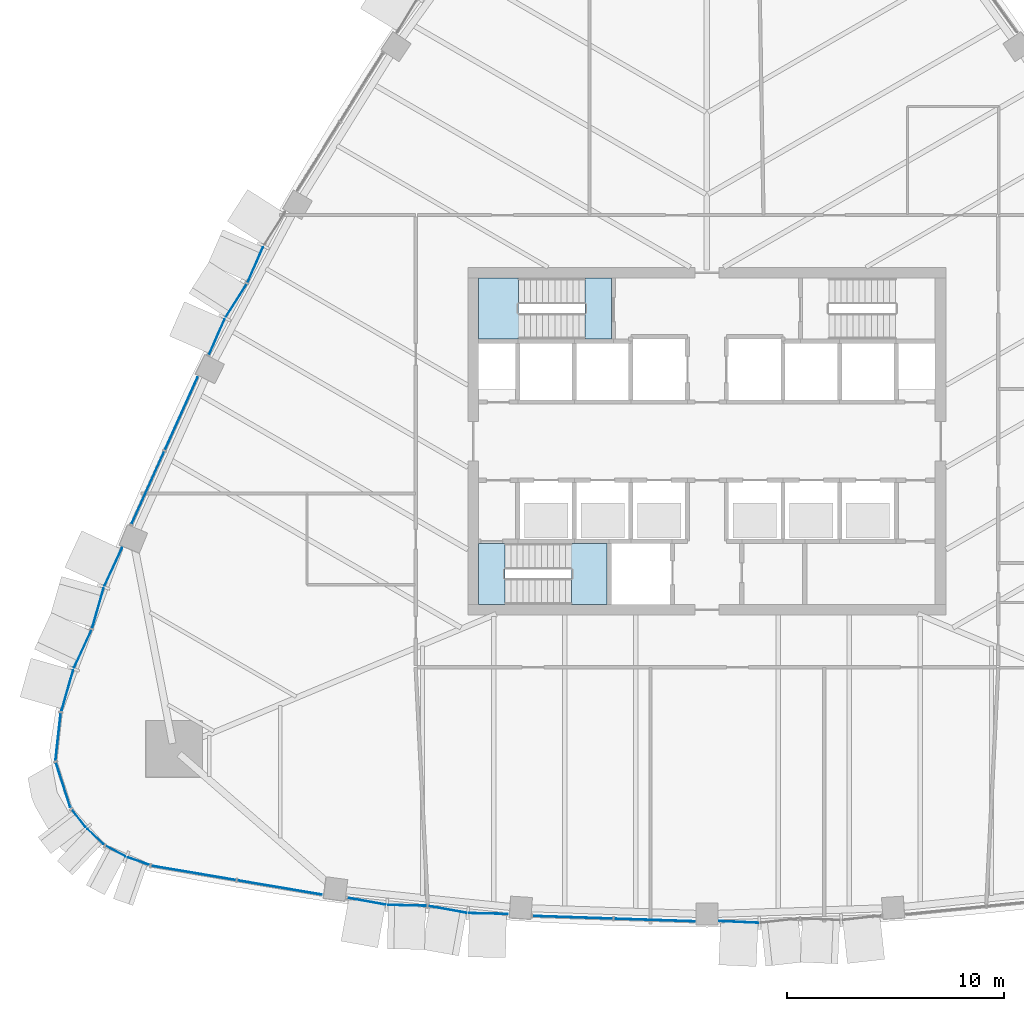
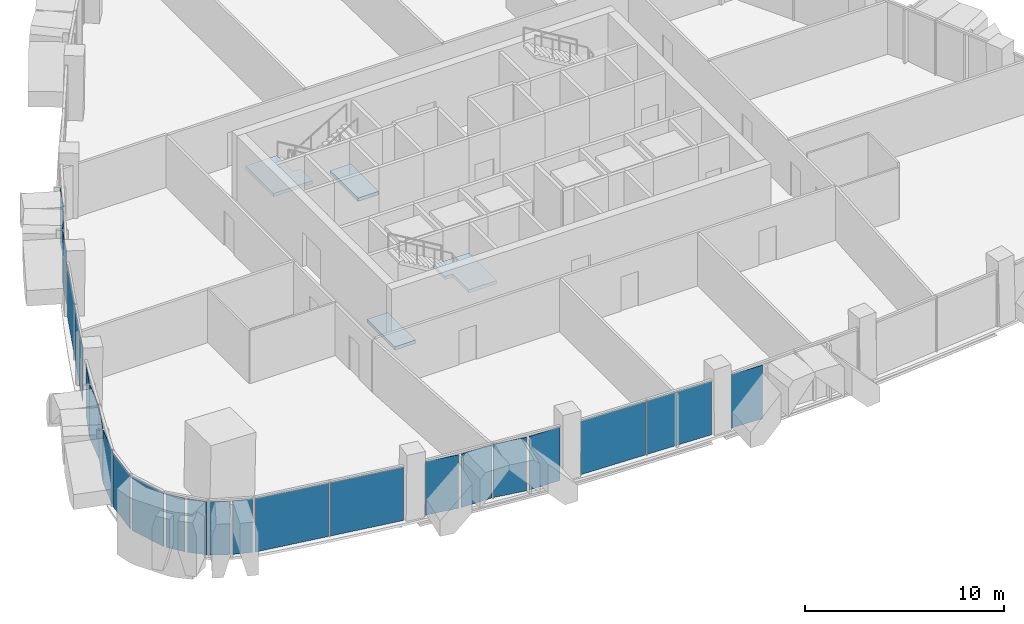
# One storey, part 8 of 17: 24 plates, 4 slabs, 13 elements without a shape of their own.
"""IFC4 building model written with IfcOpenShell, lengths in metres."""

from ifc_helpers import new_model, si_unit, direction, frame, origin, origin_2d, place, context, subcontext, project, spatial, polyline, rectangle, outline, extrude, material, layer, layer_set, type_object, element, aggregate, save


model = new_model("IFC4")

# Units and contexts
model_context = context("Model", 3, precision=1e-05, world=origin(), true_north=direction((0.0, 1.0)))
body_context = subcontext(model_context, "Body", "Model", "MODEL_VIEW")
ifc_project = project(units=[si_unit("LENGTHUNIT", "METRE"), si_unit("AREAUNIT", "SQUARE_METRE"), si_unit("VOLUMEUNIT", "CUBIC_METRE"), si_unit("PLANEANGLEUNIT", "RADIAN"), si_unit("MASSUNIT", "GRAM", prefix="KILO")], contexts=[model_context])

# Site, building, storey
site_placement = place(None, origin())
site = spatial("IfcSite", under=ifc_project, at=site_placement, CompositionType="ELEMENT")
building_placement = place(site_placement, origin())
building = spatial("IfcBuilding", under=site, at=building_placement, Name="Sierra Prisma Convention Tower", CompositionType="ELEMENT")
storey_placement = place(building_placement, frame((0.0, 0.0, 145.800048828125)))
storey = spatial("IfcBuildingStorey", under=building, at=storey_placement, Name="L31", CompositionType="ELEMENT", Elevation=145.800048828125)

# Curtain wall, plates
ifc_material_1 = material(Name="Aluminium and glass curtain wall", Category="aluminium")
ifc_layer_1 = layer(ifc_material_1, 0.179931640625)
ifc_layer_set_1 = layer_set([ifc_layer_1], Name="CW-1 Plain shaft curtain wall")
curtain_wall_type_1 = type_object("IfcCurtainWallType", Name="CW-1 Plain shaft curtain wall", PredefinedType="NOTDEFINED", material=ifc_layer_set_1)
curtain_wall_1_placement = place(storey_placement, origin())
curtain_wall_1 = element("IfcCurtainWall", 1, at=curtain_wall_1_placement, inside=storey, type_object=curtain_wall_type_1, Name="CW-1 S1 L31", PredefinedType="NOTDEFINED")
ifc_material_2 = material(Name="Tinted glass bronze-grey IGU", Category="glass")
ifc_layer_2 = layer(ifc_material_2, 0.028076171875)
ifc_layer_set_2 = layer_set([ifc_layer_2], Name="CW-1 glass panel")
plate_type_1 = type_object("IfcPlateType", Name="CW-1 glass panel", PredefinedType="CURTAIN_PANEL", material=ifc_layer_set_2)
plate_1_placement = place(storey_placement, frame((-23.61279296875, -19.859130859375, 0.0), z_axis=(0.0, 0.0, 1.0), x_axis=(0.985952283133, -0.16702722947, 0.0)))
plate_1 = element("IfcPlate", 2, at=plate_1_placement, type_object=plate_type_1, Name="CW-1 panel S1.1", PredefinedType="CURTAIN_PANEL", context=body_context, shape_type="SweptSolid", body=[
    extrude(rectangle(XDim=3.9443359375, YDim=0.028076171875, at=origin_2d()), origin(), (0.0, 0.0, 1.0), 3.280029296875),
])
plate_2_placement = place(storey_placement, frame((-19.655029296875, -20.52978515625, 0.0), z_axis=(0.0, 0.0, 1.0), x_axis=(0.985952283133, -0.16702722947, 0.0)))
plate_2 = element("IfcPlate", 3, at=plate_2_placement, type_object=plate_type_1, Name="CW-1 panel S1.2", PredefinedType="CURTAIN_PANEL", context=body_context, shape_type="SweptSolid", body=[
    extrude(rectangle(XDim=3.9443359375, YDim=0.028076171875, at=origin_2d()), origin(), (0.0, 0.0, 1.0), 3.280029296875),
])
aggregate(curtain_wall_1, [plate_1, plate_2])

curtain_wall_2_placement = place(storey_placement, origin())
curtain_wall_2 = element("IfcCurtainWall", 4, at=curtain_wall_2_placement, inside=storey, type_object=curtain_wall_type_1, Name="CW-1 S3 L31", PredefinedType="NOTDEFINED")
plate_3_placement = place(storey_placement, frame((-6.16845703125, -21.900146484375, 0.0), z_axis=(0.0, 0.0, 1.0), x_axis=(0.999436823655, -0.033556452778, 0.0)))
plate_3 = element("IfcPlate", 5, at=plate_3_placement, type_object=plate_type_1, Name="CW-1 panel S3.1", PredefinedType="CURTAIN_PANEL", context=body_context, shape_type="SweptSolid", body=[
    extrude(rectangle(XDim=3.68798828125, YDim=0.028076171875, at=origin_2d()), origin(), (0.0, 0.0, 1.0), 3.280029296875),
])
plate_4_placement = place(storey_placement, frame((-2.41259765625, -22.026123046875, 0.0), z_axis=(0.0, 0.0, 1.0), x_axis=(0.999436823655, -0.033556452778, 0.0)))
plate_4 = element("IfcPlate", 6, at=plate_4_placement, type_object=plate_type_1, Name="CW-1 panel S3.2", PredefinedType="CURTAIN_PANEL", context=body_context, shape_type="SweptSolid", body=[
    extrude(rectangle(XDim=3.68798828125, YDim=0.028076171875, at=origin_2d()), origin(), (0.0, 0.0, 1.0), 3.280029296875),
])
aggregate(curtain_wall_2, [plate_3, plate_4])

curtain_wall_3_placement = place(storey_placement, origin())
curtain_wall_3 = element("IfcCurtainWall", 7, at=curtain_wall_3_placement, inside=storey, type_object=curtain_wall_type_1, Name="CW-1 NW5 L31", PredefinedType="NOTDEFINED")
plate_5_placement = place(storey_placement, frame((-24.1796875, 1.273193359375, 0.0), z_axis=(0.0, 0.0, 1.0), x_axis=(-0.410416281114, -0.911898281716, 0.0)))
plate_5 = element("IfcPlate", 8, at=plate_5_placement, type_object=plate_type_1, Name="CW-1 panel NW5.1", PredefinedType="CURTAIN_PANEL", context=body_context, shape_type="SweptSolid", body=[
    extrude(rectangle(XDim=3.671875, YDim=0.028076171875, at=origin_2d()), origin(), (0.0, 0.0, 1.0), 3.280029296875),
])
plate_6_placement = place(storey_placement, frame((-25.71533203125, -2.13916015625, 0.0), z_axis=(0.0, 0.0, 1.0), x_axis=(-0.410416281114, -0.911898281716, 0.0)))
plate_6 = element("IfcPlate", 9, at=plate_6_placement, type_object=plate_type_1, Name="CW-1 panel NW5.2", PredefinedType="CURTAIN_PANEL", context=body_context, shape_type="SweptSolid", body=[
    extrude(rectangle(XDim=3.671875, YDim=0.028076171875, at=origin_2d()), origin(), (0.0, 0.0, 1.0), 3.280029296875),
])
aggregate(curtain_wall_3, [plate_5, plate_6])

# Curtain wall, plate
curtain_wall_4_placement = place(storey_placement, origin())
curtain_wall_4 = element("IfcCurtainWall", 10, at=curtain_wall_4_placement, inside=storey, type_object=curtain_wall_type_1, Name="CW-1 SW1 L31", PredefinedType="NOTDEFINED")
plate_7_placement = place(storey_placement, frame((-29.843017578125, -13.57373046875, 0.0), z_axis=(0.0, 0.0, 1.0), x_axis=(-0.110540629463, -0.993871606013, 0.0)))
plate_7 = element("IfcPlate", 11, at=plate_7_placement, type_object=plate_type_1, Name="CW-1 panel SW1.1", PredefinedType="CURTAIN_PANEL", context=body_context, shape_type="SweptSolid", body=[
    extrude(rectangle(XDim=2.15380859375, YDim=0.028076171875, at=origin_2d()), origin(), (0.0, 0.0, 1.0), 3.280029296875),
])
aggregate(curtain_wall_4, [plate_7])

curtain_wall_5_placement = place(storey_placement, origin())
curtain_wall_5 = element("IfcCurtainWall", 12, at=curtain_wall_5_placement, inside=storey, type_object=curtain_wall_type_1, Name="CW-1 SW2 L31", PredefinedType="NOTDEFINED")
plate_8_placement = place(storey_placement, frame((-29.61767578125, -15.804931640625, 0.0), z_axis=(0.0, 0.0, 1.0), x_axis=(0.307099278378, -0.951677483825, 0.0)))
plate_8 = element("IfcPlate", 13, at=plate_8_placement, type_object=plate_type_1, Name="CW-1 panel SW2.1", PredefinedType="CURTAIN_PANEL", context=body_context, shape_type="SweptSolid", body=[
    extrude(rectangle(XDim=2.15380859375, YDim=0.028076171875, at=origin_2d()), origin(), (0.0, 0.0, 1.0), 3.280029296875),
])
aggregate(curtain_wall_5, [plate_8])

# Curtain wall, plates
ifc_material_3 = material(Name="Aluminium and glass curtain wall", Category="aluminium")
ifc_layer_3 = layer(ifc_material_3, 0.179931640625)
ifc_layer_set_3 = layer_set([ifc_layer_3], Name="CW-2 Faceted crystal curtain wall")
curtain_wall_type_2 = type_object("IfcCurtainWallType", Name="CW-2 Faceted crystal curtain wall", PredefinedType="NOTDEFINED", material=ifc_layer_set_3)
curtain_wall_6_placement = place(storey_placement, origin())
curtain_wall_6 = element("IfcCurtainWall", 14, at=curtain_wall_6_placement, inside=storey, type_object=curtain_wall_type_2, Name="CW-2 S2 L31", PredefinedType="NOTDEFINED")
ifc_material_4 = material(Name="Tinted glass bronze-grey IGU", Category="glass")
ifc_layer_4 = layer(ifc_material_4, 0.028076171875)
ifc_layer_set_4 = layer_set([ifc_layer_4], Name="CW-2 crystal pane")
plate_type_2 = type_object("IfcPlateType", Name="CW-2 crystal pane", PredefinedType="CURTAIN_PANEL", material=ifc_layer_set_4)
plate_9_placement = place(storey_placement, frame((-16.536865234375, -21.01611328125, 0.0), z_axis=(-0.178220334556, -0.983990605824, 0.0), x_axis=(0.983990605824, -0.178220334556, 0.0)))
plate_9 = element("IfcPlate", 15, at=plate_9_placement, type_object=plate_type_2, Name="CW-2 pane S2.1.1", PredefinedType="CURTAIN_PANEL", context=body_context, shape_type="SweptSolid", body=[
    extrude(outline(polyline([(0.0, 0.0), (1.776735474176744, 0.0), (1.776735474176744, 3.2800292968750013), (0.0, 3.2800292968750013), (0.0, 0.0)])), origin(), (0.0, 0.0, -1.0), 0.028076171875),
])
plate_10_placement = place(storey_placement, frame((-12.883544921875, -21.38525390625, 0.0), z_axis=(-0.022125166814, -0.999755208535, 0.0), x_axis=(-0.999755208535, 0.022125166814, 0.0)))
plate_10 = element("IfcPlate", 16, at=plate_10_placement, type_object=plate_type_2, Name="CW-2 pane S2.1.2", PredefinedType="CURTAIN_PANEL", context=body_context, shape_type="SweptSolid", body=[
    extrude(outline(polyline([(0.0, 0.0), (1.7765579330935866, 0.0), (1.7765579330935866, -3.280029296875001), (0.0, -3.280029296875001), (0.0, 0.0)])), origin(), (0.0, 0.0, -1.0), 0.028076171875),
])
plate_11_placement = place(storey_placement, frame((-12.81396484375, -21.392333984375, 0.0), z_axis=(-0.1782444349, -0.983986240466, 0.0), x_axis=(0.983986240466, -0.1782444349, 0.0)))
plate_11 = element("IfcPlate", 17, at=plate_11_placement, type_object=plate_type_2, Name="CW-2 pane S2.2.1", PredefinedType="CURTAIN_PANEL", context=body_context, shape_type="SweptSolid", body=[
    extrude(outline(polyline([(0.0, 0.0), (1.7764952426280884, 0.0), (1.7764952426280884, 3.280029296875), (0.0, 3.280029296875), (0.0, 0.0)])), origin(), (0.0, 0.0, -1.0), 0.028076171875),
])
plate_12_placement = place(storey_placement, frame((-9.16064453125, -21.76123046875, 0.0), z_axis=(-0.022125166814, -0.999755208535, 0.0), x_axis=(-0.999755208535, 0.022125166814, 0.0)))
plate_12 = element("IfcPlate", 18, at=plate_12_placement, type_object=plate_type_2, Name="CW-2 pane S2.2.2", PredefinedType="CURTAIN_PANEL", context=body_context, shape_type="SweptSolid", body=[
    extrude(outline(polyline([(0.0, 0.0), (1.7765579330935866, 0.0), (1.7765579330935866, -3.280029296875001), (0.0, -3.280029296875001), (0.0, 0.0)])), origin(), (0.0, 0.0, -1.0), 0.028076171875),
])
aggregate(curtain_wall_6, [plate_9, plate_10, plate_11, plate_12])

# Curtain wall, plate
curtain_wall_7_placement = place(storey_placement, origin())
curtain_wall_7 = element("IfcCurtainWall", 19, at=curtain_wall_7_placement, inside=storey, type_object=curtain_wall_type_2, Name="CW-2 S4 L31", PredefinedType="NOTDEFINED")
plate_13_placement = place(storey_placement, frame((0.569580078125, -22.088134765625, 0.0), z_axis=(-0.044867818951, -0.998992932319, 0.0), x_axis=(0.998992932319, -0.044867818951, 0.0)))
plate_13 = element("IfcPlate", 20, at=plate_13_placement, type_object=plate_type_2, Name="CW-2 pane S4.1.1", PredefinedType="CURTAIN_PANEL", context=body_context, shape_type="SweptSolid", body=[
    extrude(outline(polyline([(0.0, 0.0), (1.7847563548190681, 0.0), (1.7847563548190681, 3.280029296875), (0.0, 3.280029296875), (0.0, 0.0)])), origin(), (0.0, 0.0, -1.0), 0.028076171875),
])
aggregate(curtain_wall_7, [plate_13])

# Curtain wall, plates
curtain_wall_8_placement = place(storey_placement, origin())
curtain_wall_8 = element("IfcCurtainWall", 21, at=curtain_wall_8_placement, inside=storey, type_object=curtain_wall_type_2, Name="CW-2 NW4 L31", PredefinedType="NOTDEFINED")
plate_14_placement = place(storey_placement, frame((-21.1494140625, 7.296630859375, 0.0), z_axis=(-0.916521143255, 0.399986242221, 0.0), x_axis=(0.399986242221, 0.916521143255, 0.0)))
plate_14 = element("IfcPlate", 22, at=plate_14_placement, type_object=plate_type_2, Name="CW-2 pane NW4.1.2", PredefinedType="CURTAIN_PANEL", context=body_context, shape_type="SweptSolid", body=[
    extrude(outline(polyline([(0.0, 0.0), (1.784729353531354, 0.0), (1.784729353531354, -3.280029296875), (0.0, -3.280029296875), (0.0, 0.0)])), origin(), (0.0, 0.0, -1.0), 0.028076171875),
])
plate_15_placement = place(storey_placement, frame((-21.182373046875, 7.23486328125, 0.0), z_axis=(-0.842629008893, 0.538494524923, 0.0), x_axis=(-0.538494524923, -0.842629008893, 0.0)))
plate_15 = element("IfcPlate", 23, at=plate_15_placement, type_object=plate_type_2, Name="CW-2 pane NW4.2.1", PredefinedType="CURTAIN_PANEL", context=body_context, shape_type="SweptSolid", body=[
    extrude(outline(polyline([(0.0, 0.0), (1.7844888954757674, 0.0), (1.7844888954757674, 3.280029296875), (0.0, 3.280029296875), (0.0, 0.0)])), origin(), (0.0, 0.0, -1.0), 0.028076171875),
])
plate_16_placement = place(storey_placement, frame((-22.91796875, 3.98095703125, 0.0), z_axis=(-0.916571286981, 0.399871324156, 0.0), x_axis=(0.399871324156, 0.916571286981, 0.0)))
plate_16 = element("IfcPlate", 24, at=plate_16_placement, type_object=plate_type_2, Name="CW-2 pane NW4.2.2", PredefinedType="CURTAIN_PANEL", context=body_context, shape_type="SweptSolid", body=[
    extrude(outline(polyline([(0.0, 0.0), (1.7846317146678874, 0.0), (1.7846317146678874, -3.280029296875), (0.0, -3.280029296875), (0.0, 0.0)])), origin(), (0.0, 0.0, -1.0), 0.028076171875),
])
aggregate(curtain_wall_8, [plate_14, plate_15, plate_16])

curtain_wall_9_placement = place(storey_placement, origin())
curtain_wall_9 = element("IfcCurtainWall", 25, at=curtain_wall_9_placement, inside=storey, type_object=curtain_wall_type_2, Name="CW-2 NW6 L31", PredefinedType="NOTDEFINED")
plate_17_placement = place(storey_placement, frame((-26.919677734375, -4.908203125, 0.0), z_axis=(-0.90713599475, 0.420837601728, 0.0), x_axis=(-0.420837601728, -0.90713599475, 0.0)))
plate_17 = element("IfcPlate", 26, at=plate_17_placement, type_object=plate_type_2, Name="CW-2 pane NW6.1.1", PredefinedType="CURTAIN_PANEL", context=body_context, shape_type="SweptSolid", body=[
    extrude(outline(polyline([(0.0, 0.0), (1.913269579389562, 0.0), (1.913269579389562, 3.280029296875001), (0.0, 3.280029296875001), (0.0, 0.0)])), origin(), (0.0, 0.0, -1.0), 0.028076171875),
])
plate_18_placement = place(storey_placement, frame((-28.293701171875, -8.60546875, 0.0), z_axis=(-0.961807549508, 0.273726574724, 0.0), x_axis=(0.273726574724, 0.961807549508, 0.0)))
plate_18 = element("IfcPlate", 27, at=plate_18_placement, type_object=plate_type_2, Name="CW-2 pane NW6.1.2", PredefinedType="CURTAIN_PANEL", context=body_context, shape_type="SweptSolid", body=[
    extrude(outline(polyline([(0.0, 0.0), (1.9131560066948157, 0.0), (1.9131560066948157, -3.280029296875), (0.0, -3.280029296875), (0.0, 0.0)])), origin(), (0.0, 0.0, -1.0), 0.028076171875),
])
plate_19_placement = place(storey_placement, frame((-28.318115234375, -8.671142578125, 0.0), z_axis=(-0.907162111902, 0.420781300357, 0.0), x_axis=(-0.420781300357, -0.907162111902, 0.0)))
plate_19 = element("IfcPlate", 28, at=plate_19_placement, type_object=plate_type_2, Name="CW-2 pane NW6.2.1", PredefinedType="CURTAIN_PANEL", context=body_context, shape_type="SweptSolid", body=[
    extrude(outline(polyline([(0.0, 0.0), (1.912945370770019, 0.0), (1.912945370770019, 3.280029296875001), (0.0, 3.280029296875001), (0.0, 0.0)])), origin(), (0.0, 0.0, -1.0), 0.028076171875),
])
plate_20_placement = place(storey_placement, frame((-29.69189453125, -12.3681640625, 0.0), z_axis=(-0.961807549508, 0.273726574724, 0.0), x_axis=(0.273726574724, 0.961807549508, 0.0)))
plate_20 = element("IfcPlate", 29, at=plate_20_placement, type_object=plate_type_2, Name="CW-2 pane NW6.2.2", PredefinedType="CURTAIN_PANEL", context=body_context, shape_type="SweptSolid", body=[
    extrude(outline(polyline([(0.0, 0.0), (1.9131560066948157, 0.0), (1.9131560066948157, -3.280029296875), (0.0, -3.280029296875), (0.0, 0.0)])), origin(), (0.0, 0.0, -1.0), 0.028076171875),
])
aggregate(curtain_wall_9, [plate_17, plate_18, plate_19, plate_20])

curtain_wall_10_placement = place(storey_placement, origin())
curtain_wall_10 = element("IfcCurtainWall", 30, at=curtain_wall_10_placement, inside=storey, type_object=curtain_wall_type_2, Name="CW-2 SW3 L31", PredefinedType="NOTDEFINED")
plate_21_placement = place(storey_placement, frame((-29.218505859375, -16.9482421875, 0.0), z_axis=(-0.792140992782, -0.610338141979, 0.0), x_axis=(0.610338141979, -0.792140992782, 0.0)))
plate_21 = element("IfcPlate", 31, at=plate_21_placement, type_object=plate_type_2, Name="CW-2 pane SW3.1.1", PredefinedType="CURTAIN_PANEL", context=body_context, shape_type="SweptSolid", body=[
    extrude(outline(polyline([(0.0, 0.0), (1.0152223228922233, 0.0), (1.0152223228922233, 3.2800292968749996), (0.0, 3.2800292968749996), (0.0, 0.0)])), origin(), (0.0, 0.0, -1.0), 0.028076171875),
])
plate_22_placement = place(storey_placement, frame((-27.774169921875, -18.5458984375, 0.0), z_axis=(-0.686863601647, -0.726786346, 0.0), x_axis=(-0.726786346, 0.686863601647, 0.0)))
plate_22 = element("IfcPlate", 32, at=plate_22_placement, type_object=plate_type_2, Name="CW-2 pane SW3.1.2", PredefinedType="CURTAIN_PANEL", context=body_context, shape_type="SweptSolid", body=[
    extrude(outline(polyline([(0.0, 0.0), (1.0151442343546946, 0.0), (1.0151442343546946, -3.280029296875), (0.0, -3.280029296875), (0.0, 0.0)])), origin(), (0.0, 0.0, -1.0), 0.028076171875),
])
aggregate(curtain_wall_10, [plate_21, plate_22])

curtain_wall_11_placement = place(storey_placement, origin())
curtain_wall_11 = element("IfcCurtainWall", 33, at=curtain_wall_11_placement, inside=storey, type_object=curtain_wall_type_2, Name="CW-2 SW4 L31", PredefinedType="NOTDEFINED")
plate_23_placement = place(storey_placement, frame((-27.6630859375, -18.6259765625, 0.0), z_axis=(-0.471860980595, -0.881672963741, 0.0), x_axis=(0.881672963741, -0.471860980595, 0.0)))
plate_23 = element("IfcPlate", 34, at=plate_23_placement, type_object=plate_type_2, Name="CW-2 pane SW4.1.1", PredefinedType="CURTAIN_PANEL", context=body_context, shape_type="SweptSolid", body=[
    extrude(outline(polyline([(0.0, 0.0), (1.0151377756352724, 0.0), (1.0151377756352724, 3.280029296875), (0.0, 3.280029296875), (0.0, 0.0)])), origin(), (0.0, 0.0, -1.0), 0.028076171875),
])
plate_24_placement = place(storey_placement, frame((-25.690185546875, -19.489990234375, 0.0), z_axis=(-0.327961025848, -0.944691254074, 0.0), x_axis=(-0.944691254074, 0.327961025848, 0.0)))
plate_24 = element("IfcPlate", 35, at=plate_24_placement, type_object=plate_type_2, Name="CW-2 pane SW4.1.2", PredefinedType="CURTAIN_PANEL", context=body_context, shape_type="SweptSolid", body=[
    extrude(outline(polyline([(0.0, 0.0), (1.0153883731726379, 0.0), (1.0153883731726379, -3.280029296875), (0.0, -3.280029296875), (0.0, 0.0)])), origin(), (0.0, 0.0, -1.0), 0.028076171875),
])
aggregate(curtain_wall_11, [plate_23, plate_24])

# Stair, slab
ifc_material_5 = material(Name="Concrete C30/37", Category="concrete")
stair_type = type_object("IfcStairType", Name="Stair dog-leg 1200 RC", PredefinedType="HALF_TURN_STAIR", material=ifc_material_5)
stair_1_placement = place(storey_placement, origin())
stair_1 = element("IfcStair", 36, at=stair_1_placement, inside=storey, type_object=stair_type, Name="L31 S1", PredefinedType="HALF_TURN_STAIR")
ifc_material_6 = material(Name="Concrete C35/45", Category="concrete")
ifc_layer_5 = layer(ifc_material_6, 0.199951171875)
ifc_layer_set_5 = layer_set([ifc_layer_5], Name="Stair landing slab")
slab_type = type_object("IfcSlabType", Name="Stair landing slab", PredefinedType="LANDING", material=ifc_layer_set_5)
slab_1_placement = place(storey_placement, frame((0.0, 0.0, 1.800048828125)))
slab_1 = element("IfcSlab", 37, at=slab_1_placement, type_object=slab_type, Name="S1 landing 1", PredefinedType="LANDING", context=body_context, shape_type="SweptSolid", body=[
    extrude(outline(polyline([(-4.60009765625, -4.699951171875), (-4.60009765625, -7.5), (-6.221923828125, -7.5), (-6.221923828125, -5.89990234375), (-6.669921875, -5.89990234375), (-6.669921875, -4.699951171875), (-4.60009765625, -4.699951171875)])), origin(), (0.0, 0.0, 1.0), 0.199951171875),
])
aggregate(stair_1, [slab_1])

# Slab
slab_2_placement = place(storey_placement, frame((0.0, 0.0, -0.199951171875)))
element("IfcSlab", 38, at=slab_2_placement, inside=storey, type_object=slab_type, Name="S1 floor landing L31", PredefinedType="LANDING", context=body_context, shape_type="SweptSolid", body=[
    extrude(outline(polyline([(-10.5, -7.5), (-9.298095703125, -7.5), (-9.298095703125, -4.699951171875), (-10.5, -4.699951171875), (-10.5, -7.5)])), origin(), (0.0, 0.0, 1.0), 0.199951171875),
])

# Stair, slab
stair_2_placement = place(storey_placement, origin())
stair_2 = element("IfcStair", 39, at=stair_2_placement, inside=storey, type_object=stair_type, Name="L31 S3", PredefinedType="HALF_TURN_STAIR")
slab_3_placement = place(storey_placement, frame((0.0, 0.0, 1.800048828125)))
slab_3 = element("IfcSlab", 40, at=slab_3_placement, type_object=slab_type, Name="S3 landing 1", PredefinedType="LANDING", context=body_context, shape_type="SweptSolid", body=[
    extrude(outline(polyline([(-8.22998046875, 5.89990234375), (-8.22998046875, 4.699951171875), (-10.5, 4.699951171875), (-10.5, 7.5), (-8.677978515625, 7.5), (-8.677978515625, 5.89990234375), (-8.22998046875, 5.89990234375)])), origin(), (0.0, 0.0, 1.0), 0.199951171875),
])
aggregate(stair_2, [slab_3])

# Slab
slab_4_placement = place(storey_placement, frame((0.0, 0.0, -0.199951171875)))
element("IfcSlab", 41, at=slab_4_placement, inside=storey, type_object=slab_type, Name="S3 floor landing L31", PredefinedType="LANDING", context=body_context, shape_type="SweptSolid", body=[
    extrude(outline(polyline([(-4.39990234375, 7.5), (-5.60205078125, 7.5), (-5.60205078125, 4.699951171875), (-4.39990234375, 4.699951171875), (-4.39990234375, 7.5)])), origin(), (0.0, 0.0, 1.0), 0.199951171875),
])

save(model, "model.ifc")
